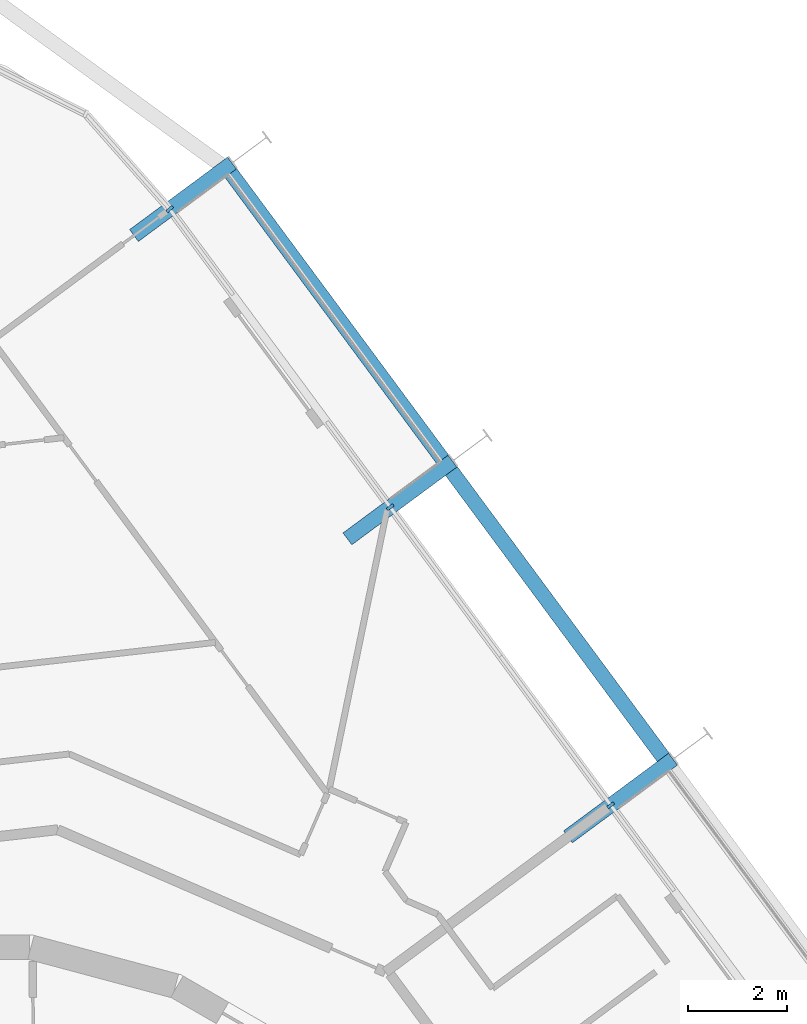
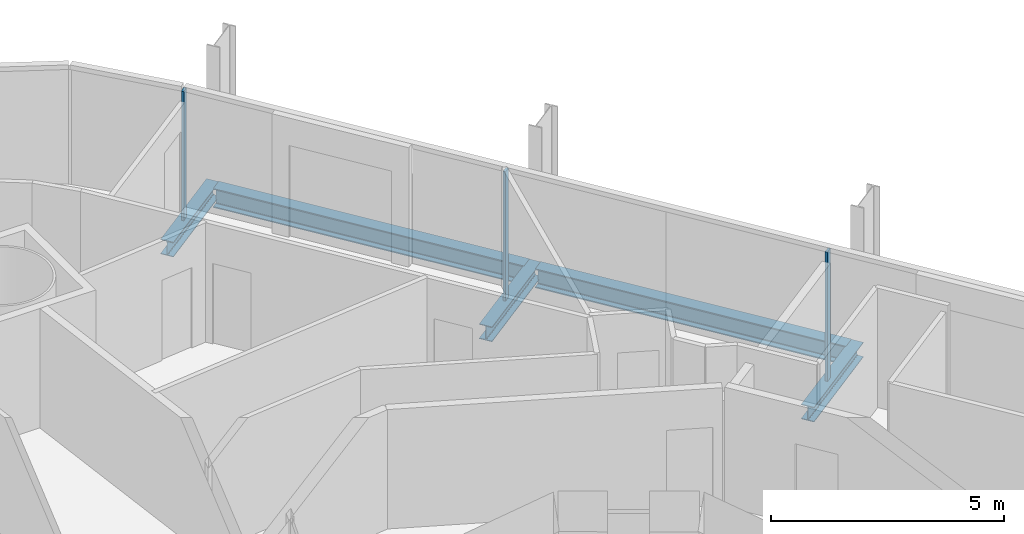
# One storey, part 11 of 22: 5 beams, 3 members, 2 elements without a shape of their own.
"""IFC4 building model written with IfcOpenShell, lengths in metres."""

from ifc_helpers import new_model, si_unit, direction, frame, origin, origin_2d, place, context, subcontext, project, spatial, rectangle, i_section, extrude, material, layer, layer_set, material_profile, profile_set, type_object, element, aggregate, save


model = new_model("IFC4")

# Units and contexts
model_context = context("Model", 3, precision=1e-05, world=origin(), true_north=direction((0.0, 1.0)))
body_context = subcontext(model_context, "Body", "Model", "MODEL_VIEW")
ifc_project = project(units=[si_unit("LENGTHUNIT", "METRE"), si_unit("AREAUNIT", "SQUARE_METRE"), si_unit("VOLUMEUNIT", "CUBIC_METRE"), si_unit("PLANEANGLEUNIT", "RADIAN"), si_unit("MASSUNIT", "GRAM", prefix="KILO")], contexts=[model_context])

# Site, building, storey
site_placement = place(None, origin())
site = spatial("IfcSite", under=ifc_project, at=site_placement, CompositionType="ELEMENT")
building_placement = place(site_placement, origin())
building = spatial("IfcBuilding", under=site, at=building_placement, Name="Spindle Arch Residences", CompositionType="ELEMENT")
storey_placement = place(building_placement, frame((0.0, 0.0, 80.199951171875)))
storey = spatial("IfcBuildingStorey", under=building, at=storey_placement, Name="L18", CompositionType="ELEMENT", Elevation=80.199951171875)

# Curtain wall, members
ifc_material_1 = material(Name="Aluminium bronze unitised frame with tinted glass", Category="aluminium")
ifc_layer_1 = layer(ifc_material_1, 0.159912109375)
ifc_layer_set_1 = layer_set([ifc_layer_1], Name="CW-C typical residential unitised wall")
curtain_wall_type_1 = type_object("IfcCurtainWallType", Name="CW-C typical residential unitised wall", PredefinedType="NOTDEFINED", material=ifc_layer_set_1)
curtain_wall_1_placement = place(storey_placement, origin())
curtain_wall_1 = element("IfcCurtainWall", 1, at=curtain_wall_1_placement, inside=storey, type_object=curtain_wall_type_1, Name="CW-C L18 run 2", PredefinedType="NOTDEFINED")
ifc_material_2 = material(Name="Aluminium bronze anodised mullion", Category="aluminium")
ifc_material_profile_1 = material_profile(ifc_material_2, rectangle(XDim=0.159912109375, YDim=0.06005859375, at=origin_2d()), Name="MU 60x160")
ifc_profile_set_1 = profile_set([ifc_material_profile_1], Name="Aluminium bronze anodised mullion")
member_type = type_object("IfcMemberType", Name="Bronze mullion 60x160", PredefinedType="MULLION", material=ifc_profile_set_1)
member_1_placement = place(storey_placement, frame((13.308349609375, 14.5244140625, -0.3798828125), z_axis=(0.0, 0.0, 1.0), x_axis=(-0.803856860617, -0.594822786751, 0.0)))
member_1 = element("IfcMember", 2, at=member_1_placement, type_object=member_type, Name="CW-C mullion 08", PredefinedType="MULLION", context=body_context, shape_type="SweptSolid", body=[
    extrude(rectangle(XDim=0.159912109375, YDim=0.06005859375, at=origin_2d()), origin(), (0.0, 0.0, 1.0), 3.3798828125),
])
member_2_placement = place(storey_placement, frame((8.8359375, 20.568603515625, -0.3798828125), z_axis=(0.0, 0.0, 1.0), x_axis=(-0.803856860617, -0.594822786751, 0.0)))
member_2 = element("IfcMember", 3, at=member_2_placement, type_object=member_type, Name="CW-C mullion 09", PredefinedType="MULLION", context=body_context, shape_type="SweptSolid", body=[
    extrude(rectangle(XDim=0.159912109375, YDim=0.06005859375, at=origin_2d()), origin(), (0.0, 0.0, 1.0), 3.3798828125),
])
aggregate(curtain_wall_1, [member_1, member_2])

# Curtain wall, member
ifc_material_3 = material(Name="Aluminium bronze unitised frame with tinted glass", Category="aluminium")
ifc_layer_2 = layer(ifc_material_3, 0.159912109375)
ifc_layer_set_2 = layer_set([ifc_layer_2], Name="CW-D corner wall on the fillet arcs")
curtain_wall_type_2 = type_object("IfcCurtainWallType", Name="CW-D corner wall on the fillet arcs", PredefinedType="NOTDEFINED", material=ifc_layer_set_2)
curtain_wall_2_placement = place(storey_placement, origin())
curtain_wall_2 = element("IfcCurtainWall", 4, at=curtain_wall_2_placement, inside=storey, type_object=curtain_wall_type_2, Name="CW-D L18 run 3", PredefinedType="NOTDEFINED")
member_3_placement = place(storey_placement, frame((4.36376953125, 26.612548828125, -0.3798828125), z_axis=(0.0, 0.0, 1.0), x_axis=(-0.750646632877, -0.660703891733, 0.0)))
member_3 = element("IfcMember", 5, at=member_3_placement, type_object=member_type, Name="CW-D mullion 00", PredefinedType="MULLION", context=body_context, shape_type="SweptSolid", body=[
    extrude(rectangle(XDim=0.159912109375, YDim=0.06005859375, at=origin_2d()), origin(), (0.0, 0.0, 1.0), 3.3798828125),
])
aggregate(curtain_wall_2, [member_3])

# Beams
ifc_material_4 = material(Name="Steel S460ML, intumescent coating R 120", Category="steel")
ifc_material_profile_2 = material_profile(ifc_material_4, i_section(OverallWidth=0.300048828125, OverallDepth=0.5, WebThickness=0.014404296875, FlangeThickness=0.028076171875, FilletRadius=0.027099609375, at=origin_2d()), Name="HEB 500")
ifc_profile_set_2 = profile_set([ifc_material_profile_2], Name="Steel S460ML, intumescent coating R 120")
beam_type_1 = type_object("IfcBeamType", Name="Exoskeleton edge beam HEB 500", PredefinedType="BEAM", material=ifc_profile_set_2)
beam_1_placement = place(storey_placement, frame((14.383056640625, 15.481201171875, -0.6298828125), z_axis=(-0.594826923516, 0.803853799556, 0.0), x_axis=(-0.803853799556, -0.594826923516, 0.0)))
element("IfcBeam", 6, at=beam_1_placement, inside=storey, type_object=beam_type_1, Name="Exoskeleton edge beam 9", PredefinedType="BEAM", context=body_context, shape_type="SweptSolid", body=[
    extrude(i_section(OverallWidth=0.300048828125, OverallDepth=0.5, WebThickness=0.014404296875, FlangeThickness=0.028076171875, FilletRadius=0.027099609375, at=origin_2d()), origin(), (0.0, 0.0, 1.0), 7.259033203125),
])
beam_2_placement = place(storey_placement, frame((9.91064453125, 21.525390625, -0.6298828125), z_axis=(-0.594821272041, 0.803857981441, 0.0), x_axis=(-0.803857981441, -0.594821272041, 0.0)))
element("IfcBeam", 7, at=beam_2_placement, inside=storey, type_object=beam_type_1, Name="Exoskeleton edge beam 10", PredefinedType="BEAM", context=body_context, shape_type="SweptSolid", body=[
    extrude(i_section(OverallWidth=0.300048828125, OverallDepth=0.5, WebThickness=0.014404296875, FlangeThickness=0.028076171875, FilletRadius=0.027099609375, at=origin_2d()), origin(), (0.0, 0.0, 1.0), 7.2587890625),
])
ifc_material_5 = material(Name="Steel S460ML, intumescent coating R 120", Category="steel")
ifc_material_profile_3 = material_profile(ifc_material_5, i_section(OverallWidth=0.300048828125, OverallDepth=0.389892578125, WebThickness=0.010986328125, FlangeThickness=0.01904296875, FilletRadius=0.027099609375, at=origin_2d()), Name="HEA 400")
ifc_profile_set_3 = profile_set([ifc_material_profile_3], Name="Steel S460ML, intumescent coating R 120")
beam_type_2 = type_object("IfcBeamType", Name="Floor outrigger HEA 400", PredefinedType="BEAM", material=ifc_profile_set_3)
for number, where, z_axis, x_axis, name in (
    (8, (14.570556640625, 15.458251953125, -0.574951171875), (-0.803896519326, -0.594769187345, 0.0), (0.594769187345, -0.803896519326, 0.0), "Floor outrigger 9"),
    (9, (10.09814453125, 21.502197265625, -0.574951171875), (-0.803896519326, -0.594769187345, 0.0), (0.594769187345, -0.803896519326, 0.0), "Floor outrigger 10"),
):
    element("IfcBeam", number, at=place(storey_placement, frame(where, z_axis=z_axis, x_axis=x_axis)), inside=storey, type_object=beam_type_2, Name=name, PredefinedType="BEAM", context=body_context, shape_type="SweptSolid", body=[
        extrude(i_section(OverallWidth=0.300048828125, OverallDepth=0.389892578125, WebThickness=0.010986328125, FlangeThickness=0.01904296875, FilletRadius=0.027099609375, at=origin_2d()), origin(), (0.0, 0.0, 1.0), 2.650146484375),
    ])
beam_3_placement = place(storey_placement, frame((5.625732421875, 27.54638671875, -0.574951171875), z_axis=(-0.80387213449, -0.594802144743, 0.0), x_axis=(0.594802144743, -0.80387213449, 0.0)))
element("IfcBeam", 10, at=beam_3_placement, inside=storey, type_object=beam_type_2, Name="Floor outrigger 11", PredefinedType="BEAM", context=body_context, shape_type="SweptSolid", body=[
    extrude(i_section(OverallWidth=0.300048828125, OverallDepth=0.389892578125, WebThickness=0.010986328125, FlangeThickness=0.01904296875, FilletRadius=0.027099609375, at=origin_2d()), origin(), (0.0, 0.0, 1.0), 2.470947265625),
])

save(model, "model.ifc")
